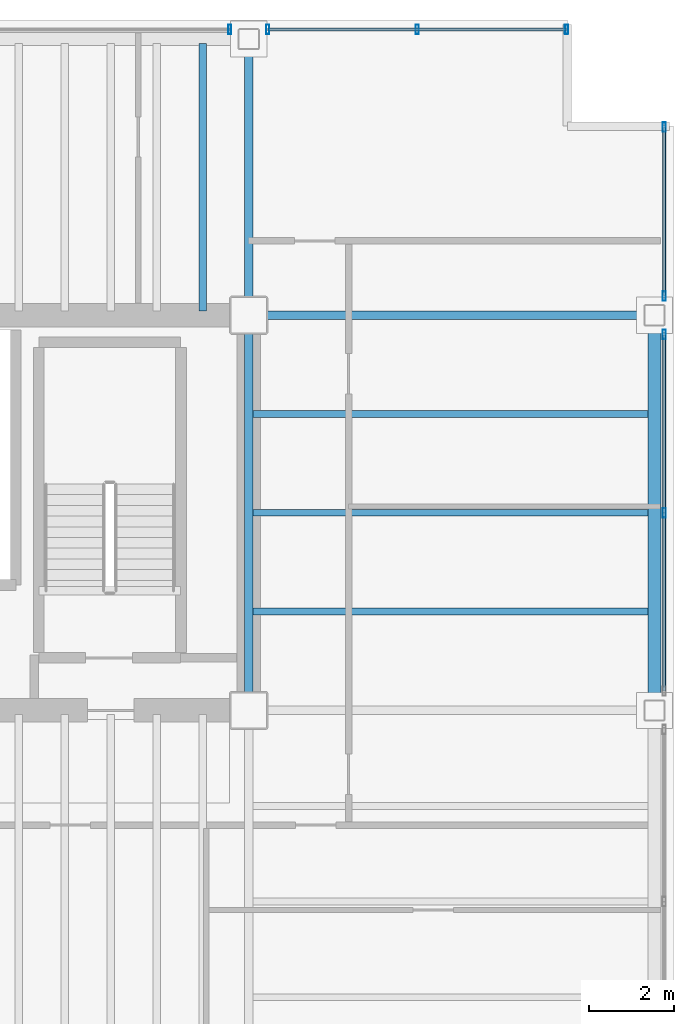
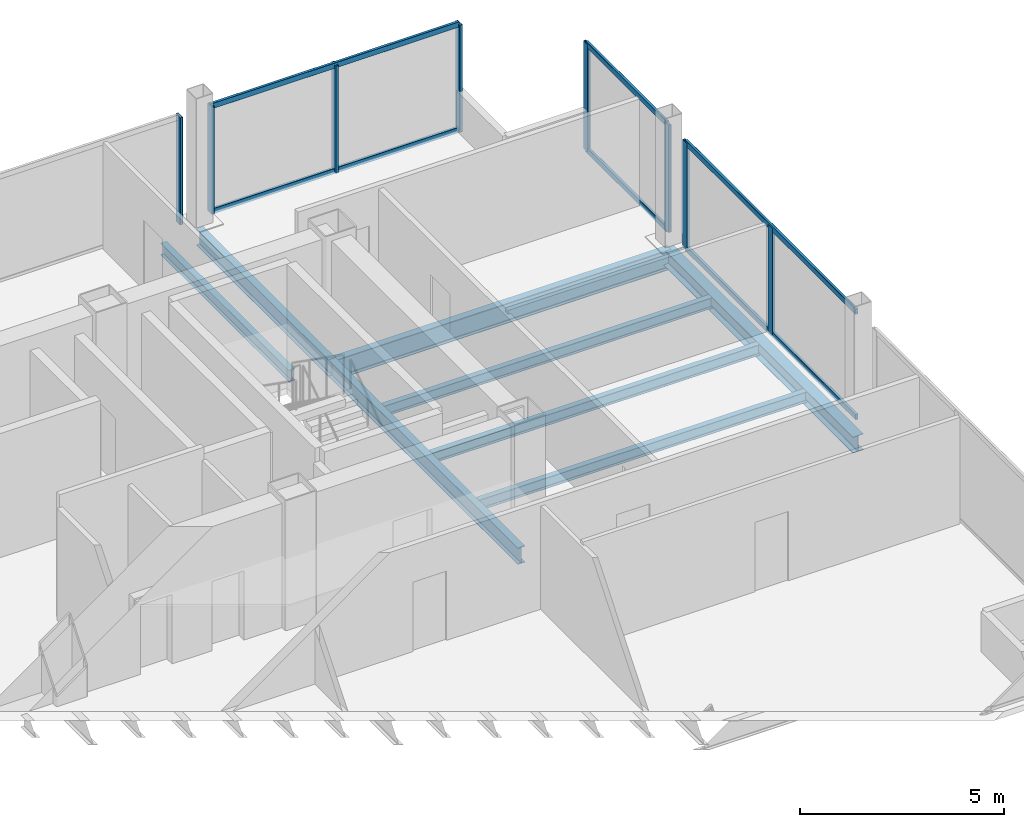
# One storey, part 11 of 16: 14 members, 8 beams, 4 elements without a shape of their own.
"""IFC4 building model written with IfcOpenShell, lengths in metres."""

from ifc_helpers import new_model, si_unit, direction, frame, origin, origin_2d, place, context, subcontext, project, spatial, hollow_rectangle, i_section, extrude, material, material_profile, profile_set, type_object, element, aggregate, save


model = new_model("IFC4")

# Units and contexts
model_context = context("Model", 3, precision=1e-05, world=origin(), true_north=direction((0.0, 1.0)))
body_context = subcontext(model_context, "Body", "Model", "MODEL_VIEW")
ifc_project = project(units=[si_unit("LENGTHUNIT", "METRE"), si_unit("AREAUNIT", "SQUARE_METRE"), si_unit("VOLUMEUNIT", "CUBIC_METRE"), si_unit("PLANEANGLEUNIT", "RADIAN"), si_unit("MASSUNIT", "GRAM", prefix="KILO")], contexts=[model_context])

# Site, building, storey
site_placement = place(None, origin())
site = spatial("IfcSite", under=ifc_project, at=site_placement, CompositionType="ELEMENT")
building_placement = place(site_placement, origin())
building = spatial("IfcBuilding", under=site, at=building_placement, Name="Noeulbin Bourse Tower", CompositionType="ELEMENT")
storey_placement = place(building_placement, frame((0.0, 0.0, 177.300048828125)))
storey = spatial("IfcBuildingStorey", under=building, at=storey_placement, Name="L44", CompositionType="ELEMENT", Elevation=177.300048828125)

# Beams
ifc_material_1 = material(Name="Steel S355", Category="steel")
ifc_material_profile_1 = material_profile(ifc_material_1, i_section(OverallWidth=0.199951171875, OverallDepth=0.5, WebThickness=0.010009765625, FlangeThickness=0.01611328125, FilletRadius=0.02001953125, at=origin_2d()), Name="H-500x200x10x16", Category="LoadBearing")
ifc_profile_set_1 = profile_set([ifc_material_profile_1], Name="Steel S355")
beam_type_1 = type_object("IfcBeamType", Name="BM-GRD-500", PredefinedType="USERDEFINED", material=ifc_profile_set_1)
beam_1_placement = place(storey_placement, frame((44.0, 29.0, -0.429931640625), z_axis=(0.0, 1.0, 0.0), x_axis=(-1.0, 0.0, 0.0)))
element("IfcBeam", 1, at=beam_1_placement, inside=storey, type_object=beam_type_1, Name="Tower Primary Girder NS L44-5.3", ObjectType="GIRDER", PredefinedType="USERDEFINED", context=body_context, shape_type="SweptSolid", body=[
    extrude(i_section(OverallWidth=0.199951171875, OverallDepth=0.5, WebThickness=0.010009765625, FlangeThickness=0.01611328125, FilletRadius=0.02001953125, at=origin_2d()), origin(), (0.0, 0.0, 1.0), 9.300048828125),
])
beam_2_placement = place(storey_placement, frame((44.0, 38.300048828125, -0.429931640625), z_axis=(0.0, 1.0, 0.0), x_axis=(-1.0, 0.0, 0.0)))
element("IfcBeam", 2, at=beam_2_placement, inside=storey, type_object=beam_type_1, Name="Tower Primary Girder NS L44-5.4", ObjectType="GIRDER", PredefinedType="USERDEFINED", context=body_context, shape_type="SweptSolid", body=[
    extrude(i_section(OverallWidth=0.199951171875, OverallDepth=0.5, WebThickness=0.010009765625, FlangeThickness=0.01611328125, FilletRadius=0.02001953125, at=origin_2d()), origin(), (0.0, 0.0, 1.0), 6.5),
])
ifc_material_profile_2 = material_profile(ifc_material_1, i_section(OverallWidth=0.199951171875, OverallDepth=0.60009765625, WebThickness=0.010986328125, FlangeThickness=0.01708984375, FilletRadius=0.02197265625, at=origin_2d()), Name="H-600x200x11x17", Category="LoadBearing")
ifc_profile_set_2 = profile_set([ifc_material_profile_2], Name="Steel S355")
beam_type_2 = type_object("IfcBeamType", Name="BM-GRD-600", PredefinedType="USERDEFINED", material=ifc_profile_set_2)
beam_3_placement = place(storey_placement, frame((44.0, 38.300048828125, -0.47998046875), z_axis=(1.0, 0.0, 0.0), x_axis=(0.0, 1.0, 0.0)))
element("IfcBeam", 3, at=beam_3_placement, inside=storey, type_object=beam_type_2, Name="Tower Primary Girder EW L44-3.6", ObjectType="GIRDER", PredefinedType="USERDEFINED", context=body_context, shape_type="SweptSolid", body=[
    extrude(i_section(OverallWidth=0.199951171875, OverallDepth=0.60009765625, WebThickness=0.010986328125, FlangeThickness=0.01708984375, FilletRadius=0.02197265625, at=origin_2d()), origin(), (0.0, 0.0, 1.0), 9.550048828125),
])
ifc_material_profile_3 = material_profile(ifc_material_1, i_section(OverallWidth=0.159912109375, OverallDepth=0.320068359375, WebThickness=0.006591796875, FlangeThickness=0.010009765625, FilletRadius=0.012939453125, at=origin_2d()), Name="H-320x160x6.5x10", Category="LoadBearing")
ifc_profile_set_3 = profile_set([ifc_material_profile_3], Name="Steel S355")
beam_type_3 = type_object("IfcBeamType", Name="BM-JST-320", PredefinedType="JOIST", material=ifc_profile_set_3)
for number, where, z_axis, x_axis, name in (
    (4, (44.10009765625, 31.324951171875, -0.340087890625), (1.0, 0.0, 0.0), (0.0, 1.0, 0.0), "Wing Composite Joist L44-E76"),
    (5, (44.10009765625, 33.64990234375, -0.340087890625), (1.0, 0.0, 0.0), (0.0, 1.0, 0.0), "Wing Composite Joist L44-E77"),
    (6, (44.10009765625, 35.97509765625, -0.340087890625), (1.0, 0.0, 0.0), (0.0, 1.0, 0.0), "Wing Composite Joist L44-E78"),
):
    element("IfcBeam", number, at=place(storey_placement, frame(where, z_axis=z_axis, x_axis=x_axis)), inside=storey, type_object=beam_type_3, Name=name, PredefinedType="JOIST", context=body_context, shape_type="SweptSolid", body=[
        extrude(i_section(OverallWidth=0.159912109375, OverallDepth=0.320068359375, WebThickness=0.006591796875, FlangeThickness=0.010009765625, FilletRadius=0.012939453125, at=origin_2d()), origin(), (0.0, 0.0, 1.0), 9.2998046875),
    ])
ifc_material_profile_4 = material_profile(ifc_material_1, i_section(OverallWidth=0.175048828125, OverallDepth=0.35009765625, WebThickness=0.007080078125, FlangeThickness=0.010986328125, FilletRadius=0.013916015625, at=origin_2d()), Name="H-350x175x7x11", Category="LoadBearing")
ifc_profile_set_4 = profile_set([ifc_material_profile_4], Name="Steel S355")
beam_type_4 = type_object("IfcBeamType", Name="BM-JST-350", PredefinedType="JOIST", material=ifc_profile_set_4)
beam_4_placement = place(storey_placement, frame((42.916748046875, 38.39990234375, -0.35498046875), z_axis=(0.0, 1.0, 0.0), x_axis=(-1.0, 0.0, 0.0)))
element("IfcBeam", 7, at=beam_4_placement, inside=storey, type_object=beam_type_4, Name="Tower Composite Joist L44-66", PredefinedType="JOIST", context=body_context, shape_type="SweptSolid", body=[
    extrude(i_section(OverallWidth=0.175048828125, OverallDepth=0.35009765625, WebThickness=0.007080078125, FlangeThickness=0.010986328125, FilletRadius=0.013916015625, at=origin_2d()), origin(), (0.0, 0.0, 1.0), 6.300048828125),
])
ifc_material_profile_5 = material_profile(ifc_material_1, i_section(OverallWidth=0.300048828125, OverallDepth=0.488037109375, WebThickness=0.010986328125, FlangeThickness=0.01806640625, FilletRadius=0.02197265625, at=origin_2d()), Name="H-488x300x11x18", Category="LoadBearing")
ifc_profile_set_5 = profile_set([ifc_material_profile_5], Name="Steel S355")
beam_type_5 = type_object("IfcBeamType", Name="BM-SPN-488", PredefinedType="SPANDREL", material=ifc_profile_set_5)
beam_5_placement = place(storey_placement, frame((53.550048828125, 29.0, -0.424072265625), z_axis=(0.0, 1.0, 0.0), x_axis=(-1.0, 0.0, 0.0)))
element("IfcBeam", 8, at=beam_5_placement, inside=storey, type_object=beam_type_5, Name="East Spandrel L44-2", PredefinedType="SPANDREL", context=body_context, shape_type="SweptSolid", body=[
    extrude(i_section(OverallWidth=0.300048828125, OverallDepth=0.488037109375, WebThickness=0.010986328125, FlangeThickness=0.01806640625, FilletRadius=0.02197265625, at=origin_2d()), origin(), (0.0, 0.0, 1.0), 9.300048828125),
])

# Curtain wall, member
ifc_material_2 = material(Name="Dark Tinted Triple Glazing", Category="glass")
curtain_wall_type = type_object("IfcCurtainWallType", Name="CW-SYS-3", PredefinedType="NOTDEFINED", material=ifc_material_2)
curtain_wall_1_placement = place(storey_placement, origin())
curtain_wall_1 = element("IfcCurtainWall", 9, at=curtain_wall_1_placement, inside=storey, type_object=curtain_wall_type, Name="Unitised Curtain Wall CW-L44-N-S4", PredefinedType="NOTDEFINED")
ifc_material_3 = material(Name="Anodised Aluminium 6063-T6", Category="aluminium")
ifc_material_profile_6 = material_profile(ifc_material_3, hollow_rectangle(XDim=0.074951171875, YDim=0.219970703125, WallThickness=0.0048828125, InnerFilletRadius=0.00244140625, OuterFilletRadius=0.0048828125, at=origin_2d()), Name="ALU-MULL-75x220x5", Category="LoadBearing")
ifc_profile_set_6 = profile_set([ifc_material_profile_6], Name="Anodised Aluminium 6063-T6")
member_type_1 = type_object("IfcMemberType", Name="CW-SYS-3-MUL", PredefinedType="MULLION", material=ifc_profile_set_6)
member_1_placement = place(storey_placement, frame((43.550048828125, 45.030029296875, -0.02001953125), z_axis=(0.0, 0.0, 1.0), x_axis=(1.0, 0.0, 0.0)))
member_1 = element("IfcMember", 10, at=member_1_placement, type_object=member_type_1, Name="Curtain Wall Mullion CW-L44-N-S4-M01", PredefinedType="MULLION", context=body_context, shape_type="SweptSolid", body=[
    extrude(hollow_rectangle(XDim=0.074951171875, YDim=0.219970703125, WallThickness=0.0048828125, InnerFilletRadius=0.00244140625, OuterFilletRadius=0.0048828125, at=origin_2d()), origin(), (0.0, 0.0, 1.0), 3.219970703125),
])
aggregate(curtain_wall_1, [member_1])

# Curtain wall, members
curtain_wall_2_placement = place(storey_placement, origin())
curtain_wall_2 = element("IfcCurtainWall", 11, at=curtain_wall_2_placement, inside=storey, type_object=curtain_wall_type, Name="Unitised Curtain Wall CW-L44-N-S5", PredefinedType="NOTDEFINED")
member_2_placement = place(storey_placement, frame((44.449951171875, 45.030029296875, -0.02001953125), z_axis=(0.0, 0.0, 1.0), x_axis=(1.0, 0.0, 0.0)))
member_2 = element("IfcMember", 12, at=member_2_placement, type_object=member_type_1, Name="Curtain Wall Mullion CW-L44-N-S5-M00", PredefinedType="MULLION", context=body_context, shape_type="SweptSolid", body=[
    extrude(hollow_rectangle(XDim=0.074951171875, YDim=0.219970703125, WallThickness=0.0048828125, InnerFilletRadius=0.00244140625, OuterFilletRadius=0.0048828125, at=origin_2d()), origin(), (0.0, 0.0, 1.0), 3.219970703125),
])
member_3_placement = place(storey_placement, frame((47.965087890625, 45.030029296875, -0.02001953125), z_axis=(0.0, 0.0, 1.0), x_axis=(1.0, 0.0, 0.0)))
member_3 = element("IfcMember", 13, at=member_3_placement, type_object=member_type_1, Name="Curtain Wall Mullion CW-L44-N-S5-M01", PredefinedType="MULLION", context=body_context, shape_type="SweptSolid", body=[
    extrude(hollow_rectangle(XDim=0.074951171875, YDim=0.219970703125, WallThickness=0.0048828125, InnerFilletRadius=0.00244140625, OuterFilletRadius=0.0048828125, at=origin_2d()), origin(), (0.0, 0.0, 1.0), 3.219970703125),
])
member_4_placement = place(storey_placement, frame((51.47998046875, 45.030029296875, -0.02001953125), z_axis=(0.0, 0.0, 1.0), x_axis=(1.0, 0.0, 0.0)))
member_4 = element("IfcMember", 14, at=member_4_placement, type_object=member_type_1, Name="Curtain Wall Mullion CW-L44-N-S5-M02", PredefinedType="MULLION", context=body_context, shape_type="SweptSolid", body=[
    extrude(hollow_rectangle(XDim=0.074951171875, YDim=0.219970703125, WallThickness=0.0048828125, InnerFilletRadius=0.00244140625, OuterFilletRadius=0.0048828125, at=origin_2d()), origin(), (0.0, 0.0, 1.0), 3.219970703125),
])

curtain_wall_3_placement = place(storey_placement, origin())
curtain_wall_3 = element("IfcCurtainWall", 15, at=curtain_wall_3_placement, inside=storey, type_object=curtain_wall_type, Name="Unitised Curtain Wall CW-L44-E-S2", PredefinedType="NOTDEFINED")
member_5_placement = place(storey_placement, frame((53.780029296875, 33.64990234375, -0.02001953125), z_axis=(0.0, 0.0, 1.0), x_axis=(1.0, 0.0, 0.0)))
member_5 = element("IfcMember", 16, at=member_5_placement, type_object=member_type_1, Name="Curtain Wall Mullion CW-L44-E-S2-M01", PredefinedType="MULLION", context=body_context, shape_type="SweptSolid", body=[
    extrude(hollow_rectangle(XDim=0.074951171875, YDim=0.219970703125, WallThickness=0.0048828125, InnerFilletRadius=0.00244140625, OuterFilletRadius=0.0048828125, at=origin_2d()), origin(), (0.0, 0.0, 1.0), 3.219970703125),
])
member_6_placement = place(storey_placement, frame((53.780029296875, 37.85009765625, -0.02001953125), z_axis=(0.0, 0.0, 1.0), x_axis=(1.0, 0.0, 0.0)))
member_6 = element("IfcMember", 17, at=member_6_placement, type_object=member_type_1, Name="Curtain Wall Mullion CW-L44-E-S2-M02", PredefinedType="MULLION", context=body_context, shape_type="SweptSolid", body=[
    extrude(hollow_rectangle(XDim=0.074951171875, YDim=0.219970703125, WallThickness=0.0048828125, InnerFilletRadius=0.00244140625, OuterFilletRadius=0.0048828125, at=origin_2d()), origin(), (0.0, 0.0, 1.0), 3.219970703125),
])

curtain_wall_4_placement = place(storey_placement, origin())
curtain_wall_4 = element("IfcCurtainWall", 18, at=curtain_wall_4_placement, inside=storey, type_object=curtain_wall_type, Name="Unitised Curtain Wall CW-L44-E-S3", PredefinedType="NOTDEFINED")
member_7_placement = place(storey_placement, frame((53.780029296875, 38.75, -0.02001953125), z_axis=(0.0, 0.0, 1.0), x_axis=(1.0, 0.0, 0.0)))
member_7 = element("IfcMember", 19, at=member_7_placement, type_object=member_type_1, Name="Curtain Wall Mullion CW-L44-E-S3-M00", PredefinedType="MULLION", context=body_context, shape_type="SweptSolid", body=[
    extrude(hollow_rectangle(XDim=0.074951171875, YDim=0.219970703125, WallThickness=0.0048828125, InnerFilletRadius=0.00244140625, OuterFilletRadius=0.0048828125, at=origin_2d()), origin(), (0.0, 0.0, 1.0), 3.219970703125),
])
member_8_placement = place(storey_placement, frame((53.780029296875, 42.72998046875, -0.02001953125), z_axis=(0.0, 0.0, 1.0), x_axis=(1.0, 0.0, 0.0)))
member_8 = element("IfcMember", 20, at=member_8_placement, type_object=member_type_1, Name="Curtain Wall Mullion CW-L44-E-S3-M01", PredefinedType="MULLION", context=body_context, shape_type="SweptSolid", body=[
    extrude(hollow_rectangle(XDim=0.074951171875, YDim=0.219970703125, WallThickness=0.0048828125, InnerFilletRadius=0.00244140625, OuterFilletRadius=0.0048828125, at=origin_2d()), origin(), (0.0, 0.0, 1.0), 3.219970703125),
])

# Member
ifc_material_profile_7 = material_profile(ifc_material_3, hollow_rectangle(XDim=0.074951171875, YDim=0.159912109375, WallThickness=0.0048828125, InnerFilletRadius=0.00244140625, OuterFilletRadius=0.0048828125, at=origin_2d()), Name="ALU-TRAN-75x160x5", Category="LoadBearing")
ifc_profile_set_7 = profile_set([ifc_material_profile_7], Name="Anodised Aluminium 6063-T6")
member_type_2 = type_object("IfcMemberType", Name="CW-SYS-3-TRN", PredefinedType="USERDEFINED", material=ifc_profile_set_7)
member_9_placement = place(storey_placement, frame((44.4599609375, 45.030029296875, 0.010009765625), z_axis=(1.0, 0.0, 0.0), x_axis=(0.0, 1.0, 0.0)))
member_9 = element("IfcMember", 21, at=member_9_placement, type_object=member_type_2, Name="Curtain Wall Transom CW-L44-N-S5-T00", ObjectType="TRANSOM", PredefinedType="USERDEFINED", context=body_context, shape_type="SweptSolid", body=[
    extrude(hollow_rectangle(XDim=0.074951171875, YDim=0.159912109375, WallThickness=0.0048828125, InnerFilletRadius=0.00244140625, OuterFilletRadius=0.0048828125, at=origin_2d()), origin(), (0.0, 0.0, 1.0), 7.010009765625),
])

member_10_placement = place(storey_placement, frame((44.4599609375, 45.030029296875, 3.169921875), z_axis=(1.0, 0.0, 0.0), x_axis=(0.0, 1.0, 0.0)))
member_10 = element("IfcMember", 22, at=member_10_placement, type_object=member_type_2, Name="Curtain Wall Transom CW-L44-N-S5-T01", ObjectType="TRANSOM", PredefinedType="USERDEFINED", context=body_context, shape_type="SweptSolid", body=[
    extrude(hollow_rectangle(XDim=0.074951171875, YDim=0.159912109375, WallThickness=0.0048828125, InnerFilletRadius=0.00244140625, OuterFilletRadius=0.0048828125, at=origin_2d()), origin(), (0.0, 0.0, 1.0), 7.010009765625),
])

aggregate(curtain_wall_2, [member_2, member_3, member_4, member_9, member_10])

member_11_placement = place(storey_placement, frame((53.780029296875, 29.4599609375, 0.010009765625), z_axis=(0.0, 1.0, 0.0), x_axis=(-1.0, 0.0, 0.0)))
member_11 = element("IfcMember", 23, at=member_11_placement, type_object=member_type_2, Name="Curtain Wall Transom CW-L44-E-S2-T00", ObjectType="TRANSOM", PredefinedType="USERDEFINED", context=body_context, shape_type="SweptSolid", body=[
    extrude(hollow_rectangle(XDim=0.074951171875, YDim=0.159912109375, WallThickness=0.0048828125, InnerFilletRadius=0.00244140625, OuterFilletRadius=0.0048828125, at=origin_2d()), origin(), (0.0, 0.0, 1.0), 8.380126953125),
])

member_12_placement = place(storey_placement, frame((53.780029296875, 29.4599609375, 3.169921875), z_axis=(0.0, 1.0, 0.0), x_axis=(-1.0, 0.0, 0.0)))
member_12 = element("IfcMember", 24, at=member_12_placement, type_object=member_type_2, Name="Curtain Wall Transom CW-L44-E-S2-T01", ObjectType="TRANSOM", PredefinedType="USERDEFINED", context=body_context, shape_type="SweptSolid", body=[
    extrude(hollow_rectangle(XDim=0.074951171875, YDim=0.159912109375, WallThickness=0.0048828125, InnerFilletRadius=0.00244140625, OuterFilletRadius=0.0048828125, at=origin_2d()), origin(), (0.0, 0.0, 1.0), 8.380126953125),
])

aggregate(curtain_wall_3, [member_5, member_6, member_11, member_12])

member_13_placement = place(storey_placement, frame((53.780029296875, 38.760009765625, 0.010009765625), z_axis=(0.0, 1.0, 0.0), x_axis=(-1.0, 0.0, 0.0)))
member_13 = element("IfcMember", 25, at=member_13_placement, type_object=member_type_2, Name="Curtain Wall Transom CW-L44-E-S3-T00", ObjectType="TRANSOM", PredefinedType="USERDEFINED", context=body_context, shape_type="SweptSolid", body=[
    extrude(hollow_rectangle(XDim=0.074951171875, YDim=0.159912109375, WallThickness=0.0048828125, InnerFilletRadius=0.00244140625, OuterFilletRadius=0.0048828125, at=origin_2d()), origin(), (0.0, 0.0, 1.0), 3.9599609375),
])

member_14_placement = place(storey_placement, frame((53.780029296875, 38.760009765625, 3.169921875), z_axis=(0.0, 1.0, 0.0), x_axis=(-1.0, 0.0, 0.0)))
member_14 = element("IfcMember", 26, at=member_14_placement, type_object=member_type_2, Name="Curtain Wall Transom CW-L44-E-S3-T01", ObjectType="TRANSOM", PredefinedType="USERDEFINED", context=body_context, shape_type="SweptSolid", body=[
    extrude(hollow_rectangle(XDim=0.074951171875, YDim=0.159912109375, WallThickness=0.0048828125, InnerFilletRadius=0.00244140625, OuterFilletRadius=0.0048828125, at=origin_2d()), origin(), (0.0, 0.0, 1.0), 3.9599609375),
])

aggregate(curtain_wall_4, [member_7, member_8, member_13, member_14])

save(model, "model.ifc")
